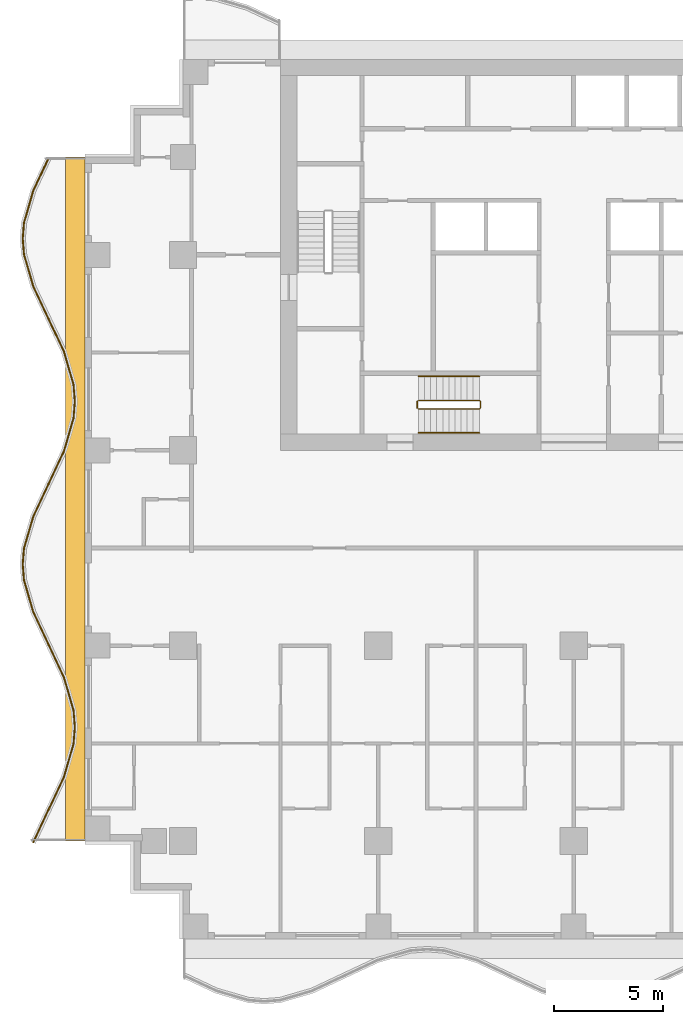
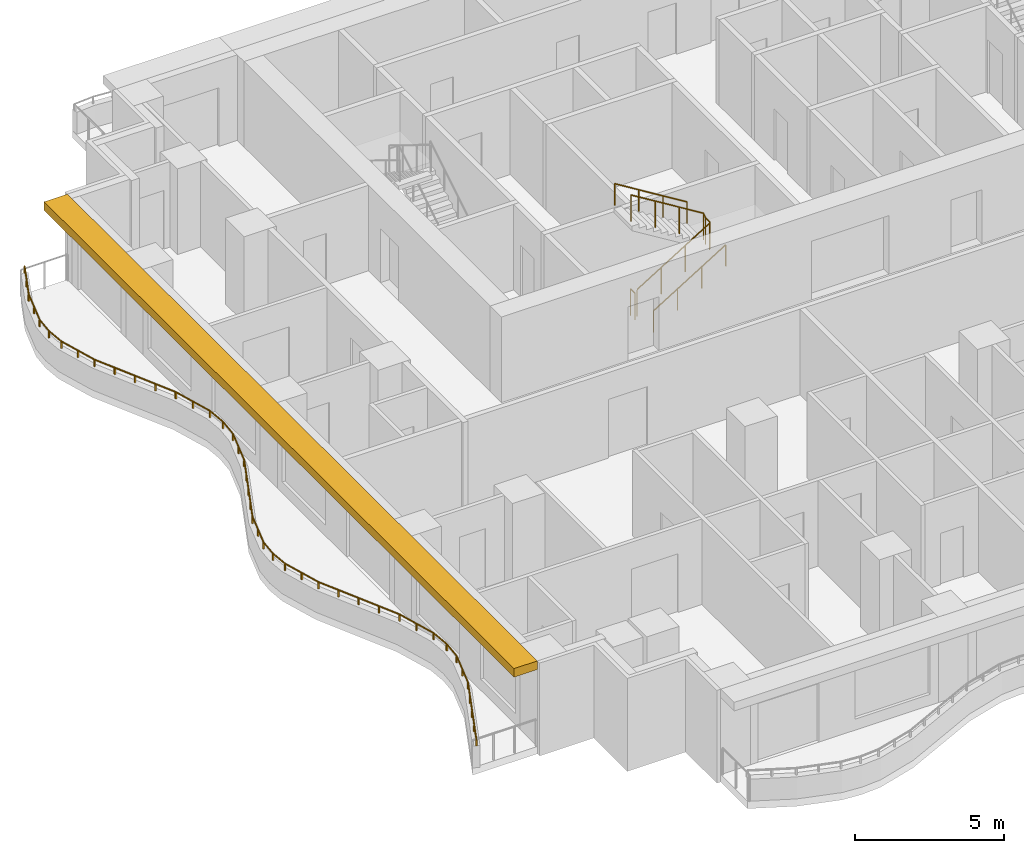
# One storey, part 8 of 10: 5 railings, 1 shading device.
"""IFC4 building model written with IfcOpenShell, lengths in metres."""

from ifc_helpers import new_model, si_unit, direction, frame, origin, origin_2d, place, context, subcontext, project, spatial, polyline, rectangle, circle, outline, extrude, material, layer, layer_set, type_object, element, save


model = new_model("IFC4")

# Units and contexts
model_context = context("Model", 3, precision=1e-05, world=origin(), true_north=direction((0.0, 1.0)))
body_context = subcontext(model_context, "Body", "Model", "MODEL_VIEW")
ifc_project = project(units=[si_unit("LENGTHUNIT", "METRE"), si_unit("AREAUNIT", "SQUARE_METRE"), si_unit("VOLUMEUNIT", "CUBIC_METRE"), si_unit("PLANEANGLEUNIT", "RADIAN"), si_unit("MASSUNIT", "GRAM", prefix="KILO")], contexts=[model_context])

# Site, building, storey
site_placement = place(None, origin())
site = spatial("IfcSite", under=ifc_project, at=site_placement, CompositionType="ELEMENT")
building_placement = place(site_placement, origin())
building = spatial("IfcBuilding", under=site, at=building_placement, Name="Orbiselva Terraces", CompositionType="ELEMENT")
storey_placement = place(building_placement, frame((0.0, 0.0, 144.0)))
storey = spatial("IfcBuildingStorey", under=building, at=storey_placement, Name="L36", CompositionType="ELEMENT", Elevation=144.0)

# Railings
ifc_material_1 = material(Name="Stainless steel", Category="steel")
railing_type_1 = type_object("IfcRailingType", Name="CORE-GUARD-1100", PredefinedType="GUARDRAIL", material=ifc_material_1)
railing_1_placement = place(storey_placement, frame((-7.15, 6.4, 0.172727)))
element("IfcRailing", 1, at=railing_1_placement, inside=storey, type_object=railing_type_1, Name="L36 S3 stair guard 1", PredefinedType="GUARDRAIL", context=body_context, shape_type="SweptSolid", body=[
    extrude(circle(Radius=0.024, at=origin_2d()), frame((0.0, 0.0, 1.081), z_axis=(0.851088519012, 0.0, 0.52502222125), x_axis=(0.0, 1.0, 0.0)), (0.0, 0.0, 1.0), 3.289905),
    extrude(circle(Radius=0.024, at=origin_2d()), frame((2.8, 0.0, 2.808273), z_axis=(0.707106781187, 0.707106781187, 0.0), x_axis=(-0.707106781187, 0.707106781187, 0.0)), (0.0, 0.0, 1.0), 0.070711),
    extrude(circle(Radius=0.024, at=origin_2d()), frame((2.85, 0.05, 2.808273), z_axis=(0.0, 1.0, 0.0), x_axis=(-1.0, 0.0, 0.0)), (0.0, 0.0, 1.0), 0.3),
    extrude(circle(Radius=0.024, at=origin_2d()), frame((2.85, 0.35, 2.808273), z_axis=(-0.267894925557, 0.267894925557, 0.925453736133), x_axis=(-0.707106781187, -0.707106781187, 0.0)), (0.0, 0.0, 1.0), 0.18664),
    extrude(circle(Radius=0.024, at=origin_2d()), frame((2.8, 0.4, 2.981), z_axis=(-0.851088519012, 0.0, 0.52502222125), x_axis=(0.0, -1.0, 0.0)), (0.0, 0.0, 1.0), 3.289905),
    extrude(circle(Radius=0.021, at=origin_2d()), origin(), (0.0, 0.0, 1.0), 1.057),
    extrude(circle(Radius=0.021, at=origin_2d()), frame((0.933333, 0.0, 0.575758)), (0.0, 0.0, 1.0), 1.057),
    extrude(circle(Radius=0.021, at=origin_2d()), frame((1.866667, 0.0, 1.151515)), (0.0, 0.0, 1.0), 1.057),
    extrude(circle(Radius=0.021, at=origin_2d()), frame((2.8, 0.0, 1.727273)), (0.0, 0.0, 1.0), 1.057),
    extrude(circle(Radius=0.021, at=origin_2d()), frame((2.85, 0.05, 1.727273)), (0.0, 0.0, 1.0), 1.057),
    extrude(circle(Radius=0.021, at=origin_2d()), frame((2.85, 0.35, 1.727273)), (0.0, 0.0, 1.0), 1.057),
    extrude(circle(Radius=0.021, at=origin_2d()), frame((2.8, 0.4, 1.9)), (0.0, 0.0, 1.0), 1.057),
    extrude(circle(Radius=0.021, at=origin_2d()), frame((1.866667, 0.4, 2.475758)), (0.0, 0.0, 1.0), 1.057),
    extrude(circle(Radius=0.021, at=origin_2d()), frame((0.933333, 0.4, 3.051515)), (0.0, 0.0, 1.0), 1.057),
    extrude(circle(Radius=0.021, at=origin_2d()), frame((0.0, 0.4, 3.627273)), (0.0, 0.0, 1.0), 1.057),
])
railing_2_placement = place(storey_placement, frame((-7.2, 6.45, 0.0)))
element("IfcRailing", 2, at=railing_2_placement, inside=storey, type_object=railing_type_1, Name="L36 S3 stair guard 2", PredefinedType="GUARDRAIL", context=body_context, shape_type="SweptSolid", body=[
    extrude(circle(Radius=0.024, at=origin_2d()), frame((0.0, 0.0, 1.081), z_axis=(0.0, 1.0, 0.0), x_axis=(-1.0, 0.0, 0.0)), (0.0, 0.0, 1.0), 0.3),
    extrude(circle(Radius=0.021, at=origin_2d()), origin(), (0.0, 0.0, 1.0), 1.057),
    extrude(circle(Radius=0.021, at=origin_2d()), frame((0.0, 0.3, 0.0)), (0.0, 0.0, 1.0), 1.057),
])
railing_type_2 = type_object("IfcRailingType", Name="CORE-HANDRAIL-900", PredefinedType="HANDRAIL", material=ifc_material_1)
railing_3_placement = place(storey_placement, frame((-7.15, 5.3, 0.172727)))
element("IfcRailing", 3, at=railing_3_placement, inside=storey, type_object=railing_type_2, Name="L36 S3 stair handrail 1", PredefinedType="HANDRAIL", context=body_context, shape_type="SweptSolid", body=[
    extrude(circle(Radius=0.024, at=origin_2d()), frame((0.0, 0.0, 0.876), z_axis=(0.851088519012, 0.0, 0.52502222125), x_axis=(0.0, 1.0, 0.0)), (0.0, 0.0, 1.0), 3.289905),
    extrude(circle(Radius=0.021, at=origin_2d()), origin(), (0.0, 0.0, 1.0), 0.852),
    extrude(circle(Radius=0.021, at=origin_2d()), frame((0.933333, 0.0, 0.575758)), (0.0, 0.0, 1.0), 0.852),
    extrude(circle(Radius=0.021, at=origin_2d()), frame((1.866667, 0.0, 1.151515)), (0.0, 0.0, 1.0), 0.852),
    extrude(circle(Radius=0.021, at=origin_2d()), frame((2.8, 0.0, 1.727273)), (0.0, 0.0, 1.0), 0.852),
])
railing_4_placement = place(storey_placement, frame((-4.35, 7.9, 2.072727)))
element("IfcRailing", 4, at=railing_4_placement, inside=storey, type_object=railing_type_2, Name="L36 S3 stair handrail 2", PredefinedType="HANDRAIL", context=body_context, shape_type="SweptSolid", body=[
    extrude(circle(Radius=0.024, at=origin_2d()), frame((0.0, 0.0, 0.876), z_axis=(-0.851088519012, 0.0, 0.52502222125), x_axis=(0.0, -1.0, 0.0)), (0.0, 0.0, 1.0), 3.289905),
    extrude(circle(Radius=0.021, at=origin_2d()), origin(), (0.0, 0.0, 1.0), 0.852),
    extrude(circle(Radius=0.021, at=origin_2d()), frame((-0.933333, 0.0, 0.575758)), (0.0, 0.0, 1.0), 0.852),
    extrude(circle(Radius=0.021, at=origin_2d()), frame((-1.866667, 0.0, 1.151515)), (0.0, 0.0, 1.0), 0.852),
    extrude(circle(Radius=0.021, at=origin_2d()), frame((-2.8, 0.0, 1.727273)), (0.0, 0.0, 1.0), 0.852),
])
ifc_material_2 = material(Name="Bonded two-ply safety glass balustrade, stainless steel posts", Category="steel")
railing_type_3 = type_object("IfcRailingType", Name="ENV-BALUSTRADE-1200", PredefinedType="BALUSTRADE", material=ifc_material_2)
railing_5_placement = place(storey_placement, frame((-24.186882, 17.946809, 0.9)))
element("IfcRailing", 5, at=railing_5_placement, inside=storey, type_object=railing_type_3, Name="Balcony balustrade L36 W", PredefinedType="BALUSTRADE", context=body_context, shape_type="SweptSolid", body=[
    extrude(outline(polyline([(0.028868, 0.0), (0.014434, 0.025), (-0.014434, 0.025), (-0.028868, 0.0), (-0.014434, -0.025), (0.014434, -0.025), (0.028868, 0.0)])), frame((0.0, 0.0, 0.275), z_axis=(-0.425529912322, -0.904944359461, 0.0), x_axis=(0.904944359461, -0.425529912322, 0.0)), (0.0, 0.0, 1.0), 1.647746),
    extrude(outline(polyline([(0.028868, 0.0), (0.014434, 0.025), (-0.014434, 0.025), (-0.028868, 0.0), (-0.014434, -0.025), (0.014434, -0.025), (0.028868, 0.0)])), frame((-0.701165, -1.491118, 0.275), z_axis=(-0.279071528957, -0.960270317007, 0.0), x_axis=(0.960270317007, -0.279071528957, 0.0)), (0.0, 0.0, 1.0), 1.539408),
    extrude(outline(polyline([(0.028868, 0.0), (0.014434, 0.025), (-0.014434, 0.025), (-0.028868, 0.0), (-0.014434, -0.025), (0.014434, -0.025), (0.028868, 0.0)])), frame((-1.13077, -2.969366, 0.275), z_axis=(-0.078069536776, -0.996947916106, 0.0), x_axis=(0.996947916106, -0.078069536776, 0.0)), (0.0, 0.0, 1.0), 0.72967),
    extrude(outline(polyline([(0.028868, 0.0), (0.014434, 0.025), (-0.014434, 0.025), (-0.028868, 0.0), (-0.014434, -0.025), (0.014434, -0.025), (0.028868, 0.0)])), frame((-1.187735, -3.696809, 0.275), z_axis=(0.078069536776, -0.996947916106, 0.0), x_axis=(0.996947916106, 0.078069536776, 0.0)), (0.0, 0.0, 1.0), 0.72967),
    extrude(outline(polyline([(0.028868, 0.0), (0.014434, 0.025), (-0.014434, 0.025), (-0.028868, 0.0), (-0.014434, -0.025), (0.014434, -0.025), (0.028868, 0.0)])), frame((-1.13077, -4.424252, 0.275), z_axis=(0.279071528957, -0.960270317007, 0.0), x_axis=(0.960270317007, 0.279071528957, 0.0)), (0.0, 0.0, 1.0), 1.539408),
    extrude(outline(polyline([(0.028868, 0.0), (0.014434, 0.025), (-0.014434, 0.025), (-0.028868, 0.0), (-0.014434, -0.025), (0.014434, -0.025), (0.028868, 0.0)])), frame((-0.701165, -5.9025, 0.275), z_axis=(0.425529912322, -0.904944359461, 0.0), x_axis=(0.904944359461, 0.425529912322, 0.0)), (0.0, 0.0, 1.0), 1.647746),
    extrude(outline(polyline([(0.028868, 0.0), (0.014434, 0.025), (-0.014434, 0.025), (-0.028868, 0.0), (-0.014434, -0.025), (0.014434, -0.025), (0.028868, 0.0)])), frame((0.0, -7.393618, 0.275), z_axis=(0.425530342069, -0.904944157382, 0.0), x_axis=(0.904944157382, 0.425530342069, 0.0)), (0.0, 0.0, 1.0), 1.667376),
    extrude(outline(polyline([(0.028868, 0.0), (0.014434, 0.025), (-0.014434, 0.025), (-0.028868, 0.0), (-0.014434, -0.025), (0.014434, -0.025), (0.028868, 0.0)])), frame((0.709519, -8.9025, 0.275), z_axis=(0.279070928786, -0.960270491427, 0.0), x_axis=(0.960270491427, 0.279070928786, 0.0)), (0.0, 0.0, 1.0), 1.584712),
    extrude(outline(polyline([(0.028868, 0.0), (0.014434, 0.025), (-0.014434, 0.025), (-0.028868, 0.0), (-0.014434, -0.025), (0.014434, -0.025), (0.028868, 0.0)])), frame((1.151766, -10.424252, 0.275), z_axis=(0.078071061106, -0.996947796737, 0.0), x_axis=(0.996947796737, 0.078071061106, 0.0)), (0.0, 0.0, 1.0), 0.774922),
    extrude(outline(polyline([(0.028868, 0.0), (0.014434, 0.025), (-0.014434, 0.025), (-0.028868, 0.0), (-0.014434, -0.025), (0.014434, -0.025), (0.028868, 0.0)])), frame((1.212265, -11.196809, 0.275), z_axis=(-0.078071061106, -0.996947796737, 0.0), x_axis=(0.996947796737, -0.078071061106, 0.0)), (0.0, 0.0, 1.0), 0.774922),
    extrude(outline(polyline([(0.028868, 0.0), (0.014434, 0.025), (-0.014434, 0.025), (-0.028868, 0.0), (-0.014434, -0.025), (0.014434, -0.025), (0.028868, 0.0)])), frame((1.151766, -11.969366, 0.275), z_axis=(-0.279070928786, -0.960270491427, 0.0), x_axis=(0.960270491427, -0.279070928786, 0.0)), (0.0, 0.0, 1.0), 1.584712),
    extrude(outline(polyline([(0.028868, 0.0), (0.014434, 0.025), (-0.014434, 0.025), (-0.028868, 0.0), (-0.014434, -0.025), (0.014434, -0.025), (0.028868, 0.0)])), frame((0.709519, -13.491118, 0.275), z_axis=(-0.425530342069, -0.904944157382, 0.0), x_axis=(0.904944157382, -0.425530342069, 0.0)), (0.0, 0.0, 1.0), 1.667376),
    extrude(outline(polyline([(0.028868, 0.0), (0.014434, 0.025), (-0.014434, 0.025), (-0.028868, 0.0), (-0.014434, -0.025), (0.014434, -0.025), (0.028868, 0.0)])), frame((0.0, -15.0, 0.275), z_axis=(-0.425529912322, -0.904944359461, 0.0), x_axis=(0.904944359461, -0.425529912322, 0.0)), (0.0, 0.0, 1.0), 1.647746),
    extrude(outline(polyline([(0.028868, 0.0), (0.014434, 0.025), (-0.014434, 0.025), (-0.028868, 0.0), (-0.014434, -0.025), (0.014434, -0.025), (0.028868, 0.0)])), frame((-0.701165, -16.491118, 0.275), z_axis=(-0.279071528957, -0.960270317007, 0.0), x_axis=(0.960270317007, -0.279071528957, 0.0)), (0.0, 0.0, 1.0), 1.539408),
    extrude(outline(polyline([(0.028868, 0.0), (0.014434, 0.025), (-0.014434, 0.025), (-0.028868, 0.0), (-0.014434, -0.025), (0.014434, -0.025), (0.028868, 0.0)])), frame((-1.13077, -17.969366, 0.275), z_axis=(-0.078069536776, -0.996947916106, 0.0), x_axis=(0.996947916106, -0.078069536776, 0.0)), (0.0, 0.0, 1.0), 0.72967),
    extrude(outline(polyline([(0.028868, 0.0), (0.014434, 0.025), (-0.014434, 0.025), (-0.028868, 0.0), (-0.014434, -0.025), (0.014434, -0.025), (0.028868, 0.0)])), frame((-1.187735, -18.696809, 0.275), z_axis=(0.078069536776, -0.996947916106, 0.0), x_axis=(0.996947916106, 0.078069536776, 0.0)), (0.0, 0.0, 1.0), 0.72967),
    extrude(outline(polyline([(0.028868, 0.0), (0.014434, 0.025), (-0.014434, 0.025), (-0.028868, 0.0), (-0.014434, -0.025), (0.014434, -0.025), (0.028868, 0.0)])), frame((-1.13077, -19.424252, 0.275), z_axis=(0.279071528957, -0.960270317007, 0.0), x_axis=(0.960270317007, 0.279071528957, 0.0)), (0.0, 0.0, 1.0), 1.539408),
    extrude(outline(polyline([(0.028868, 0.0), (0.014434, 0.025), (-0.014434, 0.025), (-0.028868, 0.0), (-0.014434, -0.025), (0.014434, -0.025), (0.028868, 0.0)])), frame((-0.701165, -20.9025, 0.275), z_axis=(0.425529912322, -0.904944359461, 0.0), x_axis=(0.904944359461, 0.425529912322, 0.0)), (0.0, 0.0, 1.0), 1.647746),
    extrude(outline(polyline([(0.028868, 0.0), (0.014434, 0.025), (-0.014434, 0.025), (-0.028868, 0.0), (-0.014434, -0.025), (0.014434, -0.025), (0.028868, 0.0)])), frame((0.0, -22.393618, 0.275), z_axis=(0.425530342069, -0.904944157382, 0.0), x_axis=(0.904944157382, 0.425530342069, 0.0)), (0.0, 0.0, 1.0), 1.667376),
    extrude(outline(polyline([(0.028868, 0.0), (0.014434, 0.025), (-0.014434, 0.025), (-0.028868, 0.0), (-0.014434, -0.025), (0.014434, -0.025), (0.028868, 0.0)])), frame((0.709519, -23.9025, 0.275), z_axis=(0.279070928786, -0.960270491427, 0.0), x_axis=(0.960270491427, 0.279070928786, 0.0)), (0.0, 0.0, 1.0), 1.584712),
    extrude(outline(polyline([(0.028868, 0.0), (0.014434, 0.025), (-0.014434, 0.025), (-0.028868, 0.0), (-0.014434, -0.025), (0.014434, -0.025), (0.028868, 0.0)])), frame((1.151766, -25.424252, 0.275), z_axis=(0.078071061106, -0.996947796737, 0.0), x_axis=(0.996947796737, 0.078071061106, 0.0)), (0.0, 0.0, 1.0), 0.774922),
    extrude(outline(polyline([(0.028868, 0.0), (0.014434, 0.025), (-0.014434, 0.025), (-0.028868, 0.0), (-0.014434, -0.025), (0.014434, -0.025), (0.028868, 0.0)])), frame((1.212265, -26.196809, 0.275), z_axis=(-0.078071061106, -0.996947796737, 0.0), x_axis=(0.996947796737, -0.078071061106, 0.0)), (0.0, 0.0, 1.0), 0.774922),
    extrude(outline(polyline([(0.028868, 0.0), (0.014434, 0.025), (-0.014434, 0.025), (-0.028868, 0.0), (-0.014434, -0.025), (0.014434, -0.025), (0.028868, 0.0)])), frame((1.151766, -26.969366, 0.275), z_axis=(-0.279070928786, -0.960270491427, 0.0), x_axis=(0.960270491427, -0.279070928786, 0.0)), (0.0, 0.0, 1.0), 1.584712),
    extrude(outline(polyline([(0.028868, 0.0), (0.014434, 0.025), (-0.014434, 0.025), (-0.028868, 0.0), (-0.014434, -0.025), (0.014434, -0.025), (0.028868, 0.0)])), frame((0.709519, -28.491118, 0.275), z_axis=(-0.425530342069, -0.904944157382, 0.0), x_axis=(0.904944157382, -0.425530342069, 0.0)), (0.0, 0.0, 1.0), 1.667376),
    extrude(outline(polyline([(0.028868, 0.0), (0.014434, 0.025), (-0.014434, 0.025), (-0.028868, 0.0), (-0.014434, -0.025), (0.014434, -0.025), (0.028868, 0.0)])), frame((0.0, -30.0, 0.275), z_axis=(-0.425530128467, -0.904944257823, 0.0), x_axis=(0.904944257823, -0.425530128467, 0.0)), (0.0, 0.0, 1.0), 1.657561),
    extrude(rectangle(XDim=0.05, YDim=0.05, at=origin_2d()), origin(), (0.0, 0.0, 1.0), 0.25),
    extrude(rectangle(XDim=0.05, YDim=0.05, at=origin_2d()), frame((-0.350582, -0.745559, 0.0)), (0.0, 0.0, 1.0), 0.25),
    extrude(rectangle(XDim=0.05, YDim=0.05, at=origin_2d()), frame((-0.701165, -1.491118, 0.0)), (0.0, 0.0, 1.0), 0.25),
    extrude(rectangle(XDim=0.05, YDim=0.05, at=origin_2d()), frame((-0.915967, -2.230242, 0.0)), (0.0, 0.0, 1.0), 0.25),
    extrude(rectangle(XDim=0.05, YDim=0.05, at=origin_2d()), frame((-1.13077, -2.969366, 0.0)), (0.0, 0.0, 1.0), 0.25),
    extrude(rectangle(XDim=0.05, YDim=0.05, at=origin_2d()), frame((-1.187735, -3.696809, 0.0)), (0.0, 0.0, 1.0), 0.25),
    extrude(rectangle(XDim=0.05, YDim=0.05, at=origin_2d()), frame((-1.13077, -4.424252, 0.0)), (0.0, 0.0, 1.0), 0.25),
    extrude(rectangle(XDim=0.05, YDim=0.05, at=origin_2d()), frame((-0.915967, -5.163376, 0.0)), (0.0, 0.0, 1.0), 0.25),
    extrude(rectangle(XDim=0.05, YDim=0.05, at=origin_2d()), frame((-0.701165, -5.9025, 0.0)), (0.0, 0.0, 1.0), 0.25),
    extrude(rectangle(XDim=0.05, YDim=0.05, at=origin_2d()), frame((-0.350582, -6.648059, 0.0)), (0.0, 0.0, 1.0), 0.25),
    extrude(rectangle(XDim=0.05, YDim=0.05, at=origin_2d()), frame((0.0, -7.393618, 0.0)), (0.0, 0.0, 1.0), 0.25),
    extrude(rectangle(XDim=0.05, YDim=0.05, at=origin_2d()), frame((0.35476, -8.148059, 0.0)), (0.0, 0.0, 1.0), 0.25),
    extrude(rectangle(XDim=0.05, YDim=0.05, at=origin_2d()), frame((0.709519, -8.9025, 0.0)), (0.0, 0.0, 1.0), 0.25),
    extrude(rectangle(XDim=0.05, YDim=0.05, at=origin_2d()), frame((0.930643, -9.663376, 0.0)), (0.0, 0.0, 1.0), 0.25),
    extrude(rectangle(XDim=0.05, YDim=0.05, at=origin_2d()), frame((1.151766, -10.424252, 0.0)), (0.0, 0.0, 1.0), 0.25),
    extrude(rectangle(XDim=0.05, YDim=0.05, at=origin_2d()), frame((1.212265, -11.196809, 0.0)), (0.0, 0.0, 1.0), 0.25),
    extrude(rectangle(XDim=0.05, YDim=0.05, at=origin_2d()), frame((1.151766, -11.969366, 0.0)), (0.0, 0.0, 1.0), 0.25),
    extrude(rectangle(XDim=0.05, YDim=0.05, at=origin_2d()), frame((0.930643, -12.730242, 0.0)), (0.0, 0.0, 1.0), 0.25),
    extrude(rectangle(XDim=0.05, YDim=0.05, at=origin_2d()), frame((0.709519, -13.491118, 0.0)), (0.0, 0.0, 1.0), 0.25),
    extrude(rectangle(XDim=0.05, YDim=0.05, at=origin_2d()), frame((0.35476, -14.245559, 0.0)), (0.0, 0.0, 1.0), 0.25),
    extrude(rectangle(XDim=0.05, YDim=0.05, at=origin_2d()), frame((0.0, -15.0, 0.0)), (0.0, 0.0, 1.0), 0.25),
    extrude(rectangle(XDim=0.05, YDim=0.05, at=origin_2d()), frame((-0.350582, -15.745559, 0.0)), (0.0, 0.0, 1.0), 0.25),
    extrude(rectangle(XDim=0.05, YDim=0.05, at=origin_2d()), frame((-0.701165, -16.491118, 0.0)), (0.0, 0.0, 1.0), 0.25),
    extrude(rectangle(XDim=0.05, YDim=0.05, at=origin_2d()), frame((-0.915967, -17.230242, 0.0)), (0.0, 0.0, 1.0), 0.25),
    extrude(rectangle(XDim=0.05, YDim=0.05, at=origin_2d()), frame((-1.13077, -17.969366, 0.0)), (0.0, 0.0, 1.0), 0.25),
    extrude(rectangle(XDim=0.05, YDim=0.05, at=origin_2d()), frame((-1.187735, -18.696809, 0.0)), (0.0, 0.0, 1.0), 0.25),
    extrude(rectangle(XDim=0.05, YDim=0.05, at=origin_2d()), frame((-1.13077, -19.424252, 0.0)), (0.0, 0.0, 1.0), 0.25),
    extrude(rectangle(XDim=0.05, YDim=0.05, at=origin_2d()), frame((-0.915967, -20.163376, 0.0)), (0.0, 0.0, 1.0), 0.25),
    extrude(rectangle(XDim=0.05, YDim=0.05, at=origin_2d()), frame((-0.701165, -20.9025, 0.0)), (0.0, 0.0, 1.0), 0.25),
    extrude(rectangle(XDim=0.05, YDim=0.05, at=origin_2d()), frame((-0.350582, -21.648059, 0.0)), (0.0, 0.0, 1.0), 0.25),
    extrude(rectangle(XDim=0.05, YDim=0.05, at=origin_2d()), frame((0.0, -22.393618, 0.0)), (0.0, 0.0, 1.0), 0.25),
    extrude(rectangle(XDim=0.05, YDim=0.05, at=origin_2d()), frame((0.35476, -23.148059, 0.0)), (0.0, 0.0, 1.0), 0.25),
    extrude(rectangle(XDim=0.05, YDim=0.05, at=origin_2d()), frame((0.709519, -23.9025, 0.0)), (0.0, 0.0, 1.0), 0.25),
    extrude(rectangle(XDim=0.05, YDim=0.05, at=origin_2d()), frame((0.930643, -24.663376, 0.0)), (0.0, 0.0, 1.0), 0.25),
    extrude(rectangle(XDim=0.05, YDim=0.05, at=origin_2d()), frame((1.151766, -25.424252, 0.0)), (0.0, 0.0, 1.0), 0.25),
    extrude(rectangle(XDim=0.05, YDim=0.05, at=origin_2d()), frame((1.212265, -26.196809, 0.0)), (0.0, 0.0, 1.0), 0.25),
    extrude(rectangle(XDim=0.05, YDim=0.05, at=origin_2d()), frame((1.151766, -26.969366, 0.0)), (0.0, 0.0, 1.0), 0.25),
    extrude(rectangle(XDim=0.05, YDim=0.05, at=origin_2d()), frame((0.930643, -27.730242, 0.0)), (0.0, 0.0, 1.0), 0.25),
    extrude(rectangle(XDim=0.05, YDim=0.05, at=origin_2d()), frame((0.709519, -28.491118, 0.0)), (0.0, 0.0, 1.0), 0.25),
    extrude(rectangle(XDim=0.05, YDim=0.05, at=origin_2d()), frame((0.35476, -29.245559, 0.0)), (0.0, 0.0, 1.0), 0.25),
    extrude(rectangle(XDim=0.05, YDim=0.05, at=origin_2d()), frame((0.0, -30.0, 0.0)), (0.0, 0.0, 1.0), 0.25),
    extrude(rectangle(XDim=0.05, YDim=0.05, at=origin_2d()), frame((-0.352671, -30.75, 0.0)), (0.0, 0.0, 1.0), 0.25),
    extrude(rectangle(XDim=0.05, YDim=0.05, at=origin_2d()), frame((-0.705342, -31.5, 0.0)), (0.0, 0.0, 1.0), 0.25),
])

# Shading device
ifc_material_3 = material(Name="Terracotta baguette sunshade", Category="masonry")
ifc_layer = layer(ifc_material_3, 0.35)
ifc_layer_set = layer_set([ifc_layer], Name="Terracotta baguette sunshade")
shading_device_type = type_object("IfcShadingDeviceType", Name="ENV-SUNSHADE-900x350", PredefinedType="USERDEFINED", material=ifc_layer_set)
shading_device_placement = place(storey_placement, frame((0.0, 0.0, 3.15)))
element("IfcShadingDevice", 6, at=shading_device_placement, inside=storey, type_object=shading_device_type, Name="Sunshade band L36 W", ObjectType="SUNSHADE", PredefinedType="USERDEFINED", context=body_context, shape_type="SweptSolid", body=[
    extrude(outline(polyline([(-23.4, 18.0), (-23.4, -13.5), (-22.5, -13.5), (-22.5, 18.0), (-23.4, 18.0)])), origin(), (0.0, 0.0, 1.0), 0.35),
])

save(model, "model.ifc")
